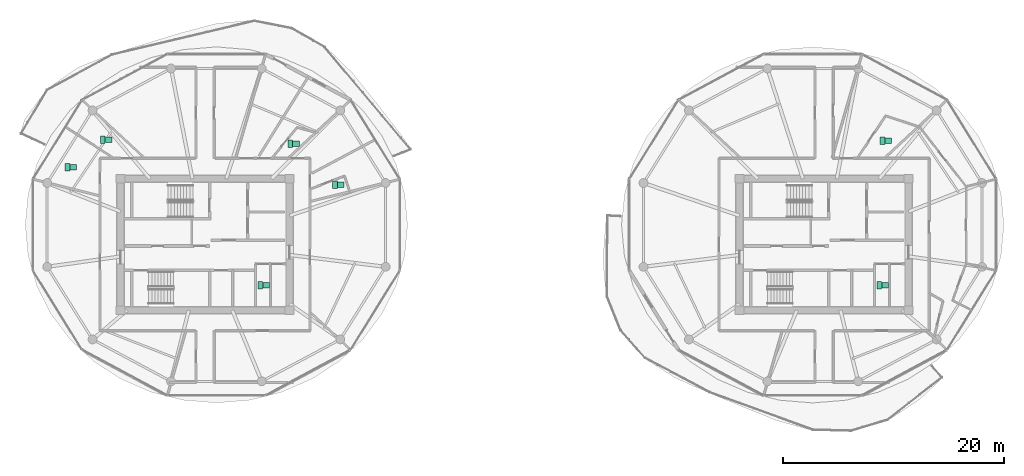
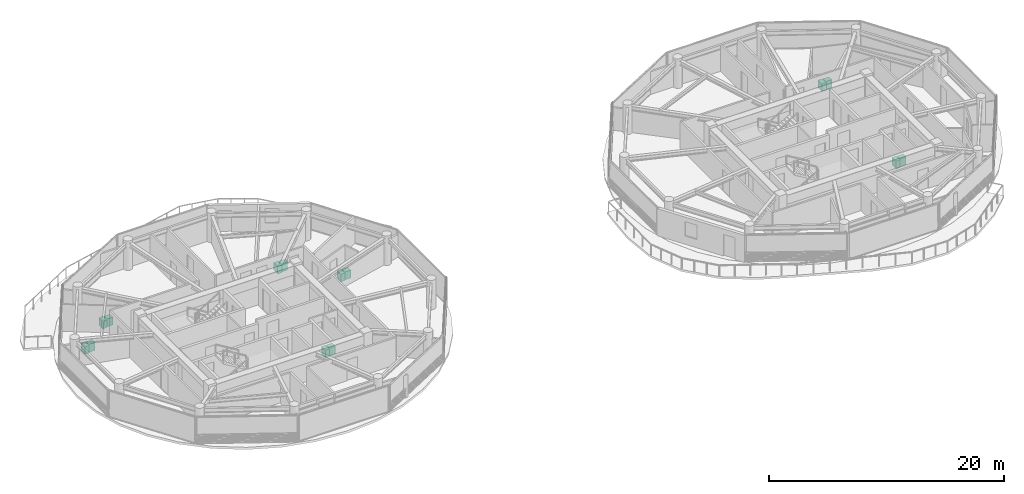
# One storey, part 21 of 21: 14 sanitary terminals.
"""IFC4 building model written with IfcOpenShell, lengths in metres."""

from ifc_helpers import new_model, si_unit, direction, frame, origin, origin_2d, place, context, subcontext, project, spatial, rectangle, extrude, source, transform, mapped, material, type_object, type_shapes, element, save


model = new_model("IFC4")

# Units and contexts
model_context = context("Model", 3, precision=1e-05, world=origin(), true_north=direction((0.0, 1.0)))
body_context = subcontext(model_context, "Body", "Model", "MODEL_VIEW")
ifc_project = project(units=[si_unit("LENGTHUNIT", "METRE"), si_unit("AREAUNIT", "SQUARE_METRE"), si_unit("VOLUMEUNIT", "CUBIC_METRE"), si_unit("PLANEANGLEUNIT", "RADIAN"), si_unit("MASSUNIT", "GRAM", prefix="KILO")], contexts=[model_context])

# Site, building, storey
site_placement = place(None, origin())
site = spatial("IfcSite", under=ifc_project, at=site_placement, CompositionType="ELEMENT")
building_placement = place(site_placement, origin())
building = spatial("IfcBuilding", under=site, at=building_placement, Name="Norrkilde Senior Care Towers", CompositionType="ELEMENT")
storey_placement = place(building_placement, frame((0.0, 0.0, 146.5)))
storey = spatial("IfcBuildingStorey", under=building, at=storey_placement, Name="L45", CompositionType="ELEMENT", Elevation=146.5)

# Sanitary terminals
ifc_material = material(Name="Porcelain Ceramic")
sanitary_terminal_type_1 = type_object("IfcSanitaryTerminalType", Name="Accessible Senior WC Suite", PredefinedType="TOILETPAN", material=ifc_material)
shared_shape_1 = source(origin(), body_context, "Body", "SweptSolid", [
    extrude(rectangle(XDim=0.419921875, YDim=0.679931640625, at=origin_2d()), origin(), (0.0, 0.0, 1.0), 0.780029296875),
])
type_shapes(sanitary_terminal_type_1, [shared_shape_1])
for number, where, z_axis, x_axis, name in (
    (1, (-23.010009765625, -3.675048828125, 0.0), (0.0, 0.0, 1.0), (1.0, 0.0, 0.0), "L45 Accessible WC Pan 0122"),
    (2, (-37.2421875, 9.47802734375, 0.0), (0.0, 0.0, 1.0), (1.0, 0.0, 0.0), "L45 Accessible WC Pan 0123"),
    (3, (-40.44091796875, 6.975830078125, 0.0), (0.0, 0.0, 1.0), (1.0, 0.0, 0.0), "L45 Accessible WC Pan 0124"),
    (4, (-16.248046875, 5.396484375, 0.0), (0.0, 0.0, 1.0), (1.0, 0.0, 0.0), "L45 Accessible WC Pan 0125"),
    (5, (-20.305419921875, 9.10498046875, 0.0), (0.0, 0.0, 1.0), (1.0, 0.0, 0.0), "L45 Accessible WC Pan 0126"),
    (6, (32.989990234375, -3.675048828125, 0.0), (0.0, 0.0, 1.0), (1.0, 0.0, 0.0), "L45 Accessible WC Pan 0127"),
    (7, (33.27734375, 9.382080078125, 0.0), (0.0, 0.0, 1.0), (1.0, 0.0, 0.0), "L45 Accessible WC Pan 0128"),
):
    element("IfcSanitaryTerminal", number, at=place(storey_placement, frame(where, z_axis=z_axis, x_axis=x_axis)), inside=storey, type_object=sanitary_terminal_type_1, Name=name, PredefinedType="TOILETPAN", context=body_context, shape_type="MappedRepresentation", body=[
        mapped(shared_shape_1, transform((0.0, 0.0, 0.0), x_axis=(1.0, 0.0, 0.0), y_axis=(0.0, 1.0, 0.0), z_axis=(0.0, 0.0, 1.0), scale=1.0)),
    ])
sanitary_terminal_type_2 = type_object("IfcSanitaryTerminalType", Name="Thermostatic Care Washbasin", PredefinedType="WASHHANDBASIN", material=ifc_material)
shared_shape_2 = source(origin(), body_context, "Body", "SweptSolid", [
    extrude(rectangle(XDim=0.60009765625, YDim=0.5, at=origin_2d()), origin(), (0.0, 0.0, 1.0), 0.820068359375),
])
type_shapes(sanitary_terminal_type_2, [shared_shape_2])
for number, where, z_axis, x_axis, name in (
    (8, (-22.47998046875, -3.675048828125, 0.0), (0.0, 0.0, 1.0), (1.0, 0.0, 0.0), "L45 Accessible Washbasin 0122"),
    (9, (-36.712158203125, 9.47802734375, 0.0), (0.0, 0.0, 1.0), (1.0, 0.0, 0.0), "L45 Accessible Washbasin 0123"),
    (10, (-39.910888671875, 6.975830078125, 0.0), (0.0, 0.0, 1.0), (1.0, 0.0, 0.0), "L45 Accessible Washbasin 0124"),
    (11, (-15.718017578125, 5.396484375, 0.0), (0.0, 0.0, 1.0), (1.0, 0.0, 0.0), "L45 Accessible Washbasin 0125"),
    (12, (-19.775390625, 9.10498046875, 0.0), (0.0, 0.0, 1.0), (1.0, 0.0, 0.0), "L45 Accessible Washbasin 0126"),
    (13, (33.52001953125, -3.675048828125, 0.0), (0.0, 0.0, 1.0), (1.0, 0.0, 0.0), "L45 Accessible Washbasin 0127"),
    (14, (33.807373046875, 9.382080078125, 0.0), (0.0, 0.0, 1.0), (1.0, 0.0, 0.0), "L45 Accessible Washbasin 0128"),
):
    element("IfcSanitaryTerminal", number, at=place(storey_placement, frame(where, z_axis=z_axis, x_axis=x_axis)), inside=storey, type_object=sanitary_terminal_type_2, Name=name, PredefinedType="WASHHANDBASIN", context=body_context, shape_type="MappedRepresentation", body=[
        mapped(shared_shape_2, transform((0.0, 0.0, 0.0), x_axis=(1.0, 0.0, 0.0), y_axis=(0.0, 1.0, 0.0), z_axis=(0.0, 0.0, 1.0), scale=1.0)),
    ])

save(model, "model.ifc")
